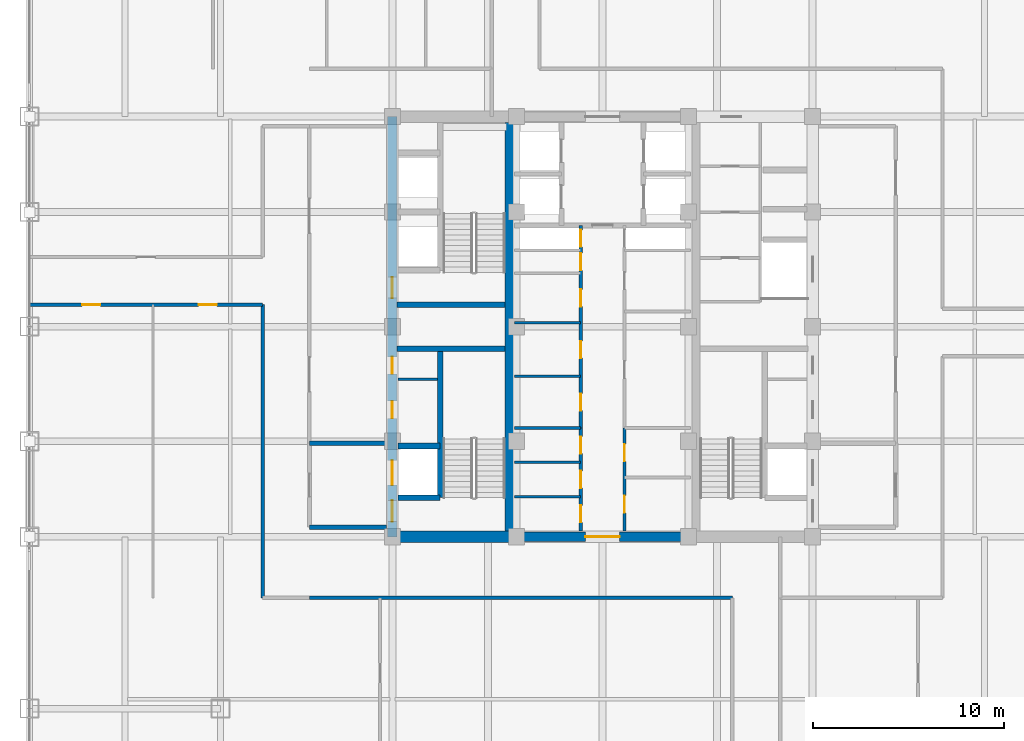
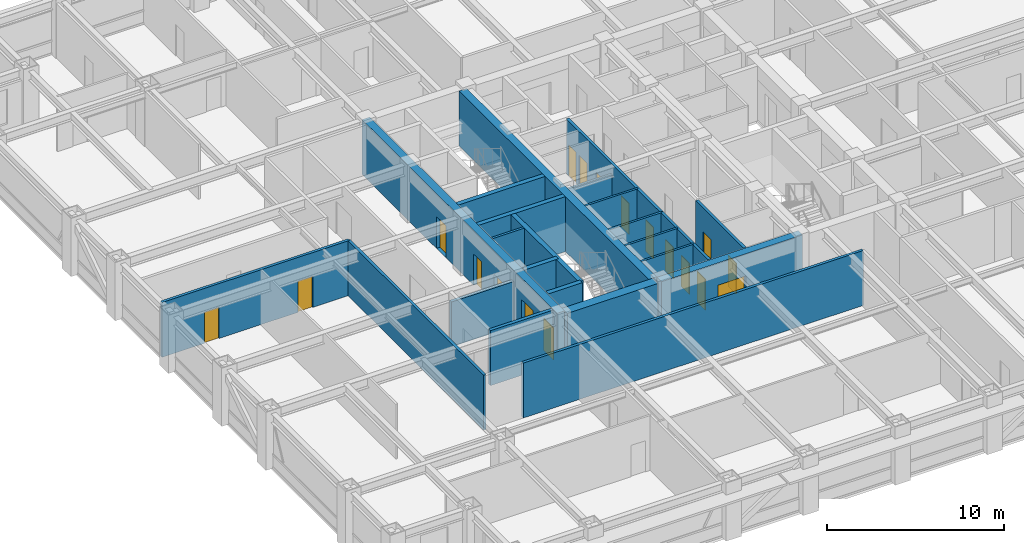
# One storey, part 20 of 29: 23 walls, 18 doors, 18 openings.
"""IFC4 building model written with IfcOpenShell, lengths in metres."""

from ifc_helpers import new_model, si_unit, direction, frame, frame_2d, origin, place, context, subcontext, project, spatial, rectangle, extrude, source, transform, mapped, material, layer, layer_set, type_object, element, fill, save


model = new_model("IFC4")

# Units and contexts
model_context = context("Model", 3, precision=1e-05, world=origin(), true_north=direction((0.0, 1.0)))
body_context = subcontext(model_context, "Body", "Model", "MODEL_VIEW")
ifc_project = project(units=[si_unit("LENGTHUNIT", "METRE"), si_unit("AREAUNIT", "SQUARE_METRE"), si_unit("VOLUMEUNIT", "CUBIC_METRE"), si_unit("PLANEANGLEUNIT", "RADIAN"), si_unit("MASSUNIT", "GRAM", prefix="KILO")], contexts=[model_context])

# Site, building, storey
site_placement = place(None, origin())
site = spatial("IfcSite", under=ifc_project, at=site_placement, CompositionType="ELEMENT")
building_placement = place(site_placement, origin())
building = spatial("IfcBuilding", under=site, at=building_placement, Name="Khorayat Bourse Tower", CompositionType="ELEMENT")
storey_placement = place(building_placement, frame((0.0, 0.0, 235.10009765625)))
storey = spatial("IfcBuildingStorey", under=building, at=storey_placement, Name="L55", CompositionType="ELEMENT", Elevation=235.10009765625)

# Wall
ifc_material_1 = material(Name="Concrete C52/65", Category="concrete")
ifc_layer_1 = layer(ifc_material_1, 0.5)
ifc_layer_set_1 = layer_set([ifc_layer_1], Name="Concrete C52/65")
wall_type_1 = type_object("IfcWallType", Name="WAL-CORE-500", PredefinedType="SHEAR", material=ifc_layer_set_1)
shared_shape_1 = source(origin(), body_context, "Body", "SweptSolid", [
    extrude(rectangle(XDim=21.39990234375, YDim=0.5, at=frame_2d((10.699951171875, 0.0))), origin(), (0.0, 0.0, 1.0), 3.77978515625),
])
wall_1_placement = place(storey_placement, frame((-4.85009765625, -10.699951171875, 0.0), z_axis=(0.0, 0.0, 1.0), x_axis=(0.0, 1.0, 0.0)))
element("IfcWall", 1, at=wall_1_placement, inside=storey, type_object=wall_type_1, Name="L55 Core Shear Wall PIER-W", PredefinedType="SHEAR", context=body_context, shape_type="MappedRepresentation", body=[
    mapped(shared_shape_1, transform((0.0, 0.0, 0.0), scale=1.0)),
])

# Wall, opening, door
shared_shape_2 = source(origin(), body_context, "Body", "SweptSolid", [
    extrude(rectangle(XDim=9.2001953125, YDim=0.5, at=frame_2d((4.60009765625, 0.0))), origin(), (0.0, 0.0, 1.0), 3.77978515625),
])
wall_2_placement = place(storey_placement, frame((-4.60009765625, -11.0, 0.0), z_axis=(0.0, 0.0, 1.0), x_axis=(1.0, 0.0, 0.0)))
wall_2 = element("IfcWall", 2, at=wall_2_placement, inside=storey, type_object=wall_type_1, Name="L55 Core Shear Wall CORE-S", PredefinedType="SHEAR", context=body_context, shape_type="MappedRepresentation", body=[
    mapped(shared_shape_2, transform((0.0, 0.0, 0.0), scale=1.0)),
])
shared_shape_3 = source(origin(), body_context, "Body", "SweptSolid", [
    extrude(rectangle(XDim=1.800048828125, YDim=2.25, at=frame_2d((0.89990234375, 1.125))), frame((0.0, 0.260009765625, 0.0), z_axis=(0.0, -1.0, 0.0), x_axis=(1.0, 0.0, 0.0)), (0.0, 0.0, 1.0), 0.52001953125),
])
opening_1_placement = place(wall_2_placement, frame((3.699951171875, 0.0, 0.0)))
opening_1 = element("IfcOpeningElement", 3, at=opening_1_placement, cuts=wall_2, Name="Opening DI-03", PredefinedType="OPENING", context=body_context, shape_type="MappedRepresentation", body=[
    mapped(shared_shape_3, transform((0.0, 0.0, 0.0), scale=1.0)),
])
ifc_material_2 = material(Name="Fire-rated hardwood vision-panel double leaf", Category="wood")
door_type_1 = type_object("IfcDoorType", Name="DR-INT-CORR-1800", OperationType="NOTDEFINED", PredefinedType="DOOR", material=ifc_material_2)
shared_shape_4 = source(origin(), body_context, "Body", "SweptSolid", [
    extrude(rectangle(XDim=1.800048828125, YDim=2.25, at=frame_2d((0.89990234375, 1.125))), frame((0.0, 0.02490234375, 0.0), z_axis=(0.0, -1.0, 0.0), x_axis=(1.0, 0.0, 0.0)), (0.0, 0.0, 1.0), 0.050048828125),
])
door_1_placement = place(opening_1_placement, origin())
door_1 = element("IfcDoor", 4, at=door_1_placement, inside=storey, type_object=door_type_1, Name="L55 Central Core South Passage Door", OperationType="SINGLE_SWING_LEFT", OverallHeight=2.25, OverallWidth=1.800048828125, PredefinedType="DOOR", context=body_context, shape_type="MappedRepresentation", body=[
    mapped(shared_shape_4, transform((0.0, 0.0, 0.0), scale=1.0)),
])
fill(opening_1, door_1)

# Wall, openings, doors
shared_shape_5 = source(origin(), body_context, "Body", "SweptSolid", [
    extrude(rectangle(XDim=22.0, YDim=0.5, at=frame_2d((11.0, 0.0))), origin(), (0.0, 0.0, 1.0), 3.77978515625),
])
wall_3_placement = place(storey_placement, frame((-11.0, -11.0, 0.0), z_axis=(0.0, 0.0, 1.0), x_axis=(0.0, 1.0, 0.0)))
wall_3 = element("IfcWall", 5, at=wall_3_placement, inside=storey, type_object=wall_type_1, Name="L55 Core Shear Wall CORE-W", PredefinedType="SHEAR", context=body_context, shape_type="MappedRepresentation", body=[
    mapped(shared_shape_5, transform((0.0, 0.0, 0.0), scale=1.0)),
])
shared_shape_6 = source(origin(), body_context, "Body", "SweptSolid", [
    extrude(rectangle(XDim=1.10009765625, YDim=2.199951171875, at=frame_2d((0.550048828125, 1.10009765625))), frame((0.0, 0.260009765625, 0.0), z_axis=(0.0, -1.0, 0.0), x_axis=(1.0, 0.0, 0.0)), (0.0, 0.0, 1.0), 0.52001953125),
])
opening_2_placement = place(wall_3_placement, frame((0.800048828125, 0.0, 0.0)))
opening_2 = element("IfcOpeningElement", 6, at=opening_2_placement, cuts=wall_3, Name="Opening DI-01", PredefinedType="OPENING", context=body_context, shape_type="MappedRepresentation", body=[
    mapped(shared_shape_6, transform((0.0, 0.0, 0.0), scale=1.0)),
])
opening_3_placement = place(wall_3_placement, frame((12.5, 0.0, 0.0)))
opening_3 = element("IfcOpeningElement", 7, at=opening_3_placement, cuts=wall_3, Name="Opening DI-01", PredefinedType="OPENING", context=body_context, shape_type="MappedRepresentation", body=[
    mapped(shared_shape_6, transform((0.0, 0.0, 0.0), scale=1.0)),
])
shared_shape_7 = source(origin(), body_context, "Body", "SweptSolid", [
    extrude(rectangle(XDim=0.89990234375, YDim=2.14990234375, at=frame_2d((0.449951171875, 1.074951171875))), frame((0.0, 0.260009765625, 0.0), z_axis=(0.0, -1.0, 0.0), x_axis=(1.0, 0.0, 0.0)), (0.0, 0.0, 1.0), 0.52001953125),
])
opening_4_placement = place(wall_3_placement, frame((6.199951171875, 0.0, 0.0)))
opening_4 = element("IfcOpeningElement", 8, at=opening_4_placement, cuts=wall_3, Name="Opening DI-06", PredefinedType="OPENING", context=body_context, shape_type="MappedRepresentation", body=[
    mapped(shared_shape_7, transform((0.0, 0.0, 0.0), scale=1.0)),
])
opening_5_placement = place(wall_3_placement, frame((8.52490234375, 0.0, 0.0)))
opening_5 = element("IfcOpeningElement", 9, at=opening_5_placement, cuts=wall_3, Name="Opening DI-06", PredefinedType="OPENING", context=body_context, shape_type="MappedRepresentation", body=[
    mapped(shared_shape_7, transform((0.0, 0.0, 0.0), scale=1.0)),
])
shared_shape_8 = source(origin(), body_context, "Body", "SweptSolid", [
    extrude(rectangle(XDim=1.300048828125, YDim=2.300048828125, at=frame_2d((0.64990234375, 1.14990234375))), frame((0.0, 0.260009765625, 0.0), z_axis=(0.0, -1.0, 0.0), x_axis=(1.0, 0.0, 0.0)), (0.0, 0.0, 1.0), 0.52001953125),
])
opening_6_placement = place(wall_3_placement, frame((2.699951171875, 0.0, 0.0)))
opening_6 = element("IfcOpeningElement", 10, at=opening_6_placement, cuts=wall_3, Name="Opening LD-02", PredefinedType="OPENING", context=body_context, shape_type="MappedRepresentation", body=[
    mapped(shared_shape_8, transform((0.0, 0.0, 0.0), scale=1.0)),
])
ifc_material_3 = material(Name="Fire-rated steel acoustic leaf", Category="steel")
door_type_2 = type_object("IfcDoorType", Name="DR-INT-STAIR-1100", OperationType="NOTDEFINED", PredefinedType="DOOR", material=ifc_material_3)
shared_shape_9 = source(origin(), body_context, "Body", "SweptSolid", [
    extrude(rectangle(XDim=1.10009765625, YDim=2.199951171875, at=frame_2d((0.550048828125, 1.10009765625))), frame((0.0, 0.02490234375, 0.0), z_axis=(0.0, -1.0, 0.0), x_axis=(1.0, 0.0, 0.0)), (0.0, 0.0, 1.0), 0.050048828125),
])
door_2_placement = place(opening_2_placement, origin())
door_2 = element("IfcDoor", 11, at=door_2_placement, inside=storey, type_object=door_type_2, Name="L55 Exit Stair 1 Door", OperationType="SINGLE_SWING_RIGHT", OverallHeight=2.199951171875, OverallWidth=1.10009765625, PredefinedType="DOOR", context=body_context, shape_type="MappedRepresentation", body=[
    mapped(shared_shape_9, transform((0.0, 0.0, 0.0), scale=1.0)),
])
fill(opening_2, door_2)
door_3_placement = place(opening_3_placement, origin())
door_3 = element("IfcDoor", 12, at=door_3_placement, inside=storey, type_object=door_type_2, Name="L55 Exit Stair 2 Door", OperationType="SINGLE_SWING_RIGHT", OverallHeight=2.199951171875, OverallWidth=1.10009765625, PredefinedType="DOOR", context=body_context, shape_type="MappedRepresentation", body=[
    mapped(shared_shape_9, transform((0.0, 0.0, 0.0), scale=1.0)),
])
fill(opening_3, door_3)
ifc_material_4 = material(Name="Moisture-resistant laminate washroom door")
door_type_3 = type_object("IfcDoorType", Name="DR-INT-WC-900", OperationType="NOTDEFINED", PredefinedType="DOOR", material=ifc_material_4)
shared_shape_10 = source(origin(), body_context, "Body", "SweptSolid", [
    extrude(rectangle(XDim=0.89990234375, YDim=2.14990234375, at=frame_2d((0.449951171875, 1.074951171875))), frame((0.0, 0.02490234375, 0.0), z_axis=(0.0, -1.0, 0.0), x_axis=(1.0, 0.0, 0.0)), (0.0, 0.0, 1.0), 0.050048828125),
])
door_4_placement = place(opening_4_placement, origin())
door_4 = element("IfcDoor", 13, at=door_4_placement, inside=storey, type_object=door_type_3, Name="L55 Switch Closet Door", OperationType="SINGLE_SWING_RIGHT", OverallHeight=2.14990234375, OverallWidth=0.89990234375, PredefinedType="DOOR", context=body_context, shape_type="MappedRepresentation", body=[
    mapped(shared_shape_10, transform((0.0, 0.0, 0.0), scale=1.0)),
])
fill(opening_4, door_4)
door_5_placement = place(opening_5_placement, origin())
door_5 = element("IfcDoor", 14, at=door_5_placement, inside=storey, type_object=door_type_3, Name="L55 Janitor Store Door", OperationType="SINGLE_SWING_LEFT", OverallHeight=2.14990234375, OverallWidth=0.89990234375, PredefinedType="DOOR", context=body_context, shape_type="MappedRepresentation", body=[
    mapped(shared_shape_10, transform((0.0, 0.0, 0.0), scale=1.0)),
])
fill(opening_5, door_5)
ifc_material_5 = material(Name="Fire-rated stainless-steel sliding landing door", Category="steel")
door_type_4 = type_object("IfcDoorType", Name="DR-LIFT-FF-1300", OperationType="NOTDEFINED", PredefinedType="DOOR", material=ifc_material_5)
shared_shape_11 = source(origin(), body_context, "Body", "SweptSolid", [
    extrude(rectangle(XDim=1.300048828125, YDim=2.300048828125, at=frame_2d((0.64990234375, 1.14990234375))), frame((0.0, 0.02490234375, 0.0), z_axis=(0.0, -1.0, 0.0), x_axis=(1.0, 0.0, 0.0)), (0.0, 0.0, 1.0), 0.050048828125),
])
door_6_placement = place(opening_6_placement, origin())
door_6 = element("IfcDoor", 15, at=door_6_placement, inside=storey, type_object=door_type_4, Name="L55 Lift FFL-01 Sliding Landing Door", OperationType="SLIDING_TO_LEFT", OverallHeight=2.300048828125, OverallWidth=1.300048828125, PredefinedType="DOOR", context=body_context, shape_type="MappedRepresentation", body=[
    mapped(shared_shape_11, transform((0.0, 0.0, 0.0), scale=1.0)),
])
fill(opening_6, door_6)

# Walls
ifc_material_6 = material(Name="Concrete C60/75", Category="concrete")
ifc_layer_2 = layer(ifc_material_6, 0.60009765625)
ifc_layer_set_2 = layer_set([ifc_layer_2], Name="Concrete C60/75")
wall_type_2 = type_object("IfcWallType", Name="WAL-CORE-600", PredefinedType="SHEAR", material=ifc_layer_set_2)
shared_shape_12 = source(origin(), body_context, "Body", "SweptSolid", [
    extrude(rectangle(XDim=5.89990234375, YDim=0.60009765625, at=frame_2d((2.949951171875, 0.0))), origin(), (0.0, 0.0, 1.0), 3.77978515625),
])
wall_4_placement = place(storey_placement, frame((-10.75, -11.0, 0.0), z_axis=(0.0, 0.0, 1.0), x_axis=(1.0, 0.0, 0.0)))
element("IfcWall", 16, at=wall_4_placement, inside=storey, type_object=wall_type_2, Name="L55 Core Shear Wall PIER-WS", PredefinedType="SHEAR", context=body_context, shape_type="MappedRepresentation", body=[
    mapped(shared_shape_12, transform((0.0, 0.0, 0.0), scale=1.0)),
])
ifc_material_7 = material(Name="Concrete C50/60", Category="concrete")
ifc_layer_3 = layer(ifc_material_7, 0.300048828125)
ifc_layer_set_3 = layer_set([ifc_layer_3], Name="Concrete C50/60")
wall_type_3 = type_object("IfcWallType", Name="WAL-SHAFT-300", PredefinedType="SHEAR", material=ifc_layer_set_3)
shared_shape_13 = source(origin(), body_context, "Body", "SweptSolid", [
    extrude(rectangle(XDim=5.64990234375, YDim=0.300048828125, at=frame_2d((2.824951171875, 0.0))), origin(), (0.0, 0.0, 1.0), 3.77978515625),
])
for number, where, z_axis, x_axis, name in (
    (17, (-10.75, -1.14990234375, 0.0), (0.0, 0.0, 1.0), (1.0, 0.0, 0.0), "L55 Core Shear Wall ST1-DIV"),
    (18, (-10.75, 1.14990234375, 0.0), (0.0, 0.0, 1.0), (1.0, 0.0, 0.0), "L55 Core Shear Wall ST2-DIV"),
):
    element("IfcWall", number, at=place(storey_placement, frame(where, z_axis=z_axis, x_axis=x_axis)), inside=storey, type_object=wall_type_3, Name=name, PredefinedType="SHEAR", context=body_context, shape_type="MappedRepresentation", body=[
        mapped(shared_shape_13, transform((0.0, 0.0, 0.0), scale=1.0)),
    ])
ifc_material_8 = material(Name="Aerated concrete blockwork", Category="masonry")
ifc_layer_4 = layer(ifc_material_8, 0.219970703125)
ifc_layer_set_4 = layer_set([ifc_layer_4], Name="Aerated concrete blockwork")
wall_type_4 = type_object("IfcWallType", Name="WAL-PART-FF-220", PredefinedType="PARTITIONING", material=ifc_layer_set_4)
shared_shape_14 = source(origin(), body_context, "Body", "SweptSolid", [
    extrude(rectangle(XDim=4.050048828125, YDim=0.219970703125, at=frame_2d((2.02490234375, 0.0))), origin(), (0.0, 0.0, 1.0), 3.0849609375),
])
wall_5_placement = place(storey_placement, frame((-15.35009765625, -6.10009765625, 0.0), z_axis=(0.0, 0.0, 1.0), x_axis=(1.0, 0.0, 0.0)))
element("IfcWall", 19, at=wall_5_placement, inside=storey, type_object=wall_type_4, Name="L55 Partition WAL-L55-FFLW-N", PredefinedType="PARTITIONING", context=body_context, shape_type="MappedRepresentation", body=[
    mapped(shared_shape_14, transform((0.0, 0.0, 0.0), scale=1.0)),
])
shared_shape_15 = source(origin(), body_context, "Body", "SweptSolid", [
    extrude(rectangle(XDim=7.800048828125, YDim=0.300048828125, at=frame_2d((3.89990234375, 0.0))), origin(), (0.0, 0.0, 1.0), 3.77978515625),
])
wall_6_placement = place(storey_placement, frame((-8.5, -8.949951171875, 0.0), z_axis=(0.0, 0.0, 1.0), x_axis=(0.0, 1.0, 0.0)))
element("IfcWall", 20, at=wall_6_placement, inside=storey, type_object=wall_type_3, Name="L55 Partition WAL-L55-WPIER-SP", PredefinedType="SHEAR", context=body_context, shape_type="MappedRepresentation", body=[
    mapped(shared_shape_15, transform((0.0, 0.0, 0.0), scale=1.0)),
])
shared_shape_16 = source(origin(), body_context, "Body", "SweptSolid", [
    extrude(rectangle(XDim=2.199951171875, YDim=0.300048828125, at=frame_2d((1.10009765625, 0.0))), origin(), (0.0, 0.0, 1.0), 3.77978515625),
])
for number, where, z_axis, x_axis, name in (
    (21, (-10.699951171875, -8.949951171875, 0.0), (0.0, 0.0, 1.0), (1.0, 0.0, 0.0), "L55 Partition WAL-L55-WPIER-FF1S"),
    (22, (-10.699951171875, -6.25, 0.0), (0.0, 0.0, 1.0), (1.0, 0.0, 0.0), "L55 Partition WAL-L55-WPIER-FF1N"),
):
    element("IfcWall", number, at=place(storey_placement, frame(where, z_axis=z_axis, x_axis=x_axis)), inside=storey, type_object=wall_type_3, Name=name, PredefinedType="SHEAR", context=body_context, shape_type="MappedRepresentation", body=[
        mapped(shared_shape_16, transform((0.0, 0.0, 0.0), scale=1.0)),
    ])
ifc_material_9 = material(Name="Gypsum plasterboard twin-frame partition")
ifc_layer_5 = layer(ifc_material_9, 0.14990234375)
ifc_layer_set_5 = layer_set([ifc_layer_5], Name="Gypsum plasterboard twin-frame partition")
wall_type_5 = type_object("IfcWallType", Name="WAL-PART-SUITE-150", PredefinedType="PARTITIONING", material=ifc_layer_set_5)
shared_shape_17 = source(origin(), body_context, "Body", "SweptSolid", [
    extrude(rectangle(XDim=2.050048828125, YDim=0.14990234375, at=frame_2d((1.02490234375, 0.0))), origin(), (0.0, 0.0, 1.0), 3.77978515625),
])
wall_7_placement = place(storey_placement, frame((-10.699951171875, -2.75, 0.0), z_axis=(0.0, 0.0, 1.0), x_axis=(1.0, 0.0, 0.0)))
element("IfcWall", 23, at=wall_7_placement, inside=storey, type_object=wall_type_5, Name="L55 Partition WAL-L55-WSRV-D1", PredefinedType="PARTITIONING", context=body_context, shape_type="MappedRepresentation", body=[
    mapped(shared_shape_17, transform((0.0, 0.0, 0.0), scale=1.0)),
])
shared_shape_18 = source(origin(), body_context, "Body", "SweptSolid", [
    extrude(rectangle(XDim=4.050048828125, YDim=0.219970703125, at=frame_2d((2.02490234375, 0.0))), origin(), (0.0, 0.0, 1.0), 3.77978515625),
])
wall_8_placement = place(storey_placement, frame((-15.35009765625, -10.5, 0.0), z_axis=(0.0, 0.0, 1.0), x_axis=(1.0, 0.0, 0.0)))
element("IfcWall", 24, at=wall_8_placement, inside=storey, type_object=wall_type_4, Name="L55 Partition WAL-L55-FFLW-S", PredefinedType="PARTITIONING", context=body_context, shape_type="MappedRepresentation", body=[
    mapped(shared_shape_18, transform((0.0, 0.0, 0.0), scale=1.0)),
])
shared_shape_19 = source(origin(), body_context, "Body", "SweptSolid", [
    extrude(rectangle(XDim=3.4501953125, YDim=0.14990234375, at=frame_2d((1.72509765625, 0.0))), origin(), (0.0, 0.0, 1.0), 3.77978515625),
])
wall_9_placement = place(storey_placement, frame((-4.60009765625, -5.300048828125, 0.0), z_axis=(0.0, 0.0, 1.0), x_axis=(1.0, 0.0, 0.0)))
element("IfcWall", 25, at=wall_9_placement, inside=storey, type_object=wall_type_5, Name="L55 Partition WAL-L55-FB1-NW", PredefinedType="PARTITIONING", context=body_context, shape_type="MappedRepresentation", body=[
    mapped(shared_shape_19, transform((0.0, 0.0, 0.0), scale=1.0)),
])
ifc_material_10 = material(Name="Moisture-resistant masonry partition", Category="masonry")
ifc_layer_6 = layer(ifc_material_10, 0.139892578125)
ifc_layer_set_6 = layer_set([ifc_layer_6], Name="Moisture-resistant masonry partition")
wall_type_6 = type_object("IfcWallType", Name="WAL-PART-WET-140", PredefinedType="PARTITIONING", material=ifc_layer_set_6)
shared_shape_20 = source(origin(), body_context, "Body", "SweptSolid", [
    extrude(rectangle(XDim=3.4501953125, YDim=0.139892578125, at=frame_2d((1.72509765625, 0.0))), origin(), (0.0, 0.0, 1.0), 3.77978515625),
])
for number, where, z_axis, x_axis, name in (
    (26, (-4.60009765625, -8.89990234375, 0.0), (0.0, 0.0, 1.0), (1.0, 0.0, 0.0), "L55 Partition WAL-L55-FB1W-D1"),
    (27, (-4.60009765625, -7.10009765625, 0.0), (0.0, 0.0, 1.0), (1.0, 0.0, 0.0), "L55 Partition WAL-L55-FB1W-D2"),
    (28, (-4.60009765625, -2.60009765625, 0.0), (0.0, 0.0, 1.0), (1.0, 0.0, 0.0), "L55 Partition WAL-L55-CMW-D1"),
):
    element("IfcWall", number, at=place(storey_placement, frame(where, z_axis=z_axis, x_axis=x_axis)), inside=storey, type_object=wall_type_6, Name=name, PredefinedType="PARTITIONING", context=body_context, shape_type="MappedRepresentation", body=[
        mapped(shared_shape_20, transform((0.0, 0.0, 0.0), scale=1.0)),
    ])

# Wall, openings, doors
ifc_material_11 = material(Name="Gypsum plasterboard acoustic stud wall")
ifc_layer_7 = layer(ifc_material_11, 0.179931640625)
ifc_layer_set_7 = layer_set([ifc_layer_7], Name="Gypsum plasterboard acoustic stud wall")
wall_type_7 = type_object("IfcWallType", Name="WAL-PART-CORR-180", PredefinedType="PARTITIONING", material=ifc_layer_set_7)
shared_shape_21 = source(origin(), body_context, "Body", "SweptSolid", [
    extrude(rectangle(XDim=5.39990234375, YDim=0.179931640625, at=frame_2d((2.699951171875, 0.0))), origin(), (0.0, 0.0, 1.0), 3.77978515625),
])
wall_10_placement = place(storey_placement, frame((-1.14990234375, -10.699951171875, 0.0), z_axis=(0.0, 0.0, 1.0), x_axis=(0.0, 1.0, 0.0)))
wall_10 = element("IfcWall", 29, at=wall_10_placement, inside=storey, type_object=wall_type_7, Name="L55 Partition WAL-L55-FB1W-L", PredefinedType="PARTITIONING", context=body_context, shape_type="MappedRepresentation", body=[
    mapped(shared_shape_21, transform((0.0, 0.0, 0.0), scale=1.0)),
])
shared_shape_22 = source(origin(), body_context, "Body", "SweptSolid", [
    extrude(rectangle(XDim=0.89990234375, YDim=2.14990234375, at=frame_2d((0.449951171875, 1.074951171875))), frame((0.0, 0.099853515625, 0.0), z_axis=(0.0, -1.0, 0.0), x_axis=(1.0, 0.0, 0.0)), (0.0, 0.0, 1.0), 0.199951171875),
])
opening_7_placement = place(wall_10_placement, frame((0.449951171875, 0.0, 0.0)))
opening_7 = element("IfcOpeningElement", 30, at=opening_7_placement, cuts=wall_10, Name="Opening DI-06", PredefinedType="OPENING", context=body_context, shape_type="MappedRepresentation", body=[
    mapped(shared_shape_22, transform((0.0, 0.0, 0.0), scale=1.0)),
])
opening_8_placement = place(wall_10_placement, frame((2.25, 0.0, 0.0)))
opening_8 = element("IfcOpeningElement", 31, at=opening_8_placement, cuts=wall_10, Name="Opening DI-06", PredefinedType="OPENING", context=body_context, shape_type="MappedRepresentation", body=[
    mapped(shared_shape_22, transform((0.0, 0.0, 0.0), scale=1.0)),
])
opening_9_placement = place(wall_10_placement, frame((4.050048828125, 0.0, 0.0)))
opening_9 = element("IfcOpeningElement", 32, at=opening_9_placement, cuts=wall_10, Name="Opening DI-06", PredefinedType="OPENING", context=body_context, shape_type="MappedRepresentation", body=[
    mapped(shared_shape_22, transform((0.0, 0.0, 0.0), scale=1.0)),
])
door_7_placement = place(opening_7_placement, origin())
door_7 = element("IfcDoor", 33, at=door_7_placement, inside=storey, type_object=door_type_3, Name="L55 Archive Store A Door", OperationType="SINGLE_SWING_RIGHT", OverallHeight=2.14990234375, OverallWidth=0.89990234375, PredefinedType="DOOR", context=body_context, shape_type="MappedRepresentation", body=[
    mapped(shared_shape_10, transform((0.0, 0.0, 0.0), scale=1.0)),
])
fill(opening_7, door_7)
door_8_placement = place(opening_8_placement, origin())
door_8 = element("IfcDoor", 34, at=door_8_placement, inside=storey, type_object=door_type_3, Name="L55 Patch Comms Room Door", OperationType="SINGLE_SWING_LEFT", OverallHeight=2.14990234375, OverallWidth=0.89990234375, PredefinedType="DOOR", context=body_context, shape_type="MappedRepresentation", body=[
    mapped(shared_shape_10, transform((0.0, 0.0, 0.0), scale=1.0)),
])
fill(opening_8, door_8)
door_9_placement = place(opening_9_placement, origin())
door_9 = element("IfcDoor", 35, at=door_9_placement, inside=storey, type_object=door_type_3, Name="L55 Archive Store B Door", OperationType="SINGLE_SWING_RIGHT", OverallHeight=2.14990234375, OverallWidth=0.89990234375, PredefinedType="DOOR", context=body_context, shape_type="MappedRepresentation", body=[
    mapped(shared_shape_10, transform((0.0, 0.0, 0.0), scale=1.0)),
])
fill(opening_9, door_9)

wall_11_placement = place(storey_placement, frame((1.14990234375, -10.699951171875, 0.0), z_axis=(0.0, 0.0, 1.0), x_axis=(0.0, 1.0, 0.0)))
wall_11 = element("IfcWall", 36, at=wall_11_placement, inside=storey, type_object=wall_type_7, Name="L55 Partition WAL-L55-FB1E-L", PredefinedType="PARTITIONING", context=body_context, shape_type="MappedRepresentation", body=[
    mapped(shared_shape_21, transform((0.0, 0.0, 0.0), scale=1.0)),
])
opening_10_placement = place(wall_11_placement, frame((0.949951171875, 0.0, 0.0)))
opening_10 = element("IfcOpeningElement", 37, at=opening_10_placement, cuts=wall_11, Name="Opening DI-06", PredefinedType="OPENING", context=body_context, shape_type="MappedRepresentation", body=[
    mapped(shared_shape_22, transform((0.0, 0.0, 0.0), scale=1.0)),
])
opening_11_placement = place(wall_11_placement, frame((3.64990234375, 0.0, 0.0)))
opening_11 = element("IfcOpeningElement", 38, at=opening_11_placement, cuts=wall_11, Name="Opening DI-06", PredefinedType="OPENING", context=body_context, shape_type="MappedRepresentation", body=[
    mapped(shared_shape_22, transform((0.0, 0.0, 0.0), scale=1.0)),
])
door_10_placement = place(opening_10_placement, origin())
door_10 = element("IfcDoor", 39, at=door_10_placement, inside=storey, type_object=door_type_3, Name="L55 UPS Switch Plant Room Door", OperationType="SINGLE_SWING_RIGHT", OverallHeight=2.14990234375, OverallWidth=0.89990234375, PredefinedType="DOOR", context=body_context, shape_type="MappedRepresentation", body=[
    mapped(shared_shape_10, transform((0.0, 0.0, 0.0), scale=1.0)),
])
fill(opening_10, door_10)
door_11_placement = place(opening_11_placement, origin())
door_11 = element("IfcDoor", 40, at=door_11_placement, inside=storey, type_object=door_type_3, Name="L55 Reprographics Store Door", OperationType="SINGLE_SWING_LEFT", OverallHeight=2.14990234375, OverallWidth=0.89990234375, PredefinedType="DOOR", context=body_context, shape_type="MappedRepresentation", body=[
    mapped(shared_shape_10, transform((0.0, 0.0, 0.0), scale=1.0)),
])
fill(opening_11, door_11)

# Wall
shared_shape_23 = source(origin(), body_context, "Body", "SweptSolid", [
    extrude(rectangle(XDim=3.4501953125, YDim=0.139892578125, at=frame_2d((1.72509765625, 0.0))), origin(), (0.0, 0.0, 1.0), 3.0849609375),
])
wall_12_placement = place(storey_placement, frame((-4.60009765625, 0.199951171875, 0.0), z_axis=(0.0, 0.0, 1.0), x_axis=(1.0, 0.0, 0.0)))
element("IfcWall", 41, at=wall_12_placement, inside=storey, type_object=wall_type_6, Name="L55 Partition WAL-L55-CMW-D2", PredefinedType="PARTITIONING", context=body_context, shape_type="MappedRepresentation", body=[
    mapped(shared_shape_23, transform((0.0, 0.0, 0.0), scale=1.0)),
])

# Wall, openings, doors
shared_shape_24 = source(origin(), body_context, "Body", "SweptSolid", [
    extrude(rectangle(XDim=10.60009765625, YDim=0.179931640625, at=frame_2d((5.300048828125, 0.0))), origin(), (0.0, 0.0, 1.0), 3.77978515625),
])
wall_13_placement = place(storey_placement, frame((-1.14990234375, -5.300048828125, 0.0), z_axis=(0.0, 0.0, 1.0), x_axis=(0.0, 1.0, 0.0)))
wall_13 = element("IfcWall", 42, at=wall_13_placement, inside=storey, type_object=wall_type_7, Name="L55 Partition WAL-L55-CMW-L", PredefinedType="PARTITIONING", context=body_context, shape_type="MappedRepresentation", body=[
    mapped(shared_shape_24, transform((0.0, 0.0, 0.0), scale=1.0)),
])
opening_12_placement = place(wall_13_placement, frame((0.89990234375, 0.0, 0.0)))
opening_12 = element("IfcOpeningElement", 43, at=opening_12_placement, cuts=wall_13, Name="Opening DI-06", PredefinedType="OPENING", context=body_context, shape_type="MappedRepresentation", body=[
    mapped(shared_shape_22, transform((0.0, 0.0, 0.0), scale=1.0)),
])
opening_13_placement = place(wall_13_placement, frame((3.64990234375, 0.0, 0.0)))
opening_13 = element("IfcOpeningElement", 44, at=opening_13_placement, cuts=wall_13, Name="Opening DI-06", PredefinedType="OPENING", context=body_context, shape_type="MappedRepresentation", body=[
    mapped(shared_shape_22, transform((0.0, 0.0, 0.0), scale=1.0)),
])
opening_14_placement = place(wall_13_placement, frame((6.35009765625, 0.0, 0.0)))
opening_14 = element("IfcOpeningElement", 45, at=opening_14_placement, cuts=wall_13, Name="Opening DI-06", PredefinedType="OPENING", context=body_context, shape_type="MappedRepresentation", body=[
    mapped(shared_shape_22, transform((0.0, 0.0, 0.0), scale=1.0)),
])
opening_15_placement = place(wall_13_placement, frame((8.25, 0.0, 0.0)))
opening_15 = element("IfcOpeningElement", 46, at=opening_15_placement, cuts=wall_13, Name="Opening DI-06", PredefinedType="OPENING", context=body_context, shape_type="MappedRepresentation", body=[
    mapped(shared_shape_22, transform((0.0, 0.0, 0.0), scale=1.0)),
])
opening_16_placement = place(wall_13_placement, frame((9.47509765625, 0.0, 0.0)))
opening_16 = element("IfcOpeningElement", 47, at=opening_16_placement, cuts=wall_13, Name="Opening DI-06", PredefinedType="OPENING", context=body_context, shape_type="MappedRepresentation", body=[
    mapped(shared_shape_22, transform((0.0, 0.0, 0.0), scale=1.0)),
])
door_12_placement = place(opening_12_placement, origin())
door_12 = element("IfcDoor", 48, at=door_12_placement, inside=storey, type_object=door_type_3, Name="L55 Cleaners Store Door", OperationType="SINGLE_SWING_RIGHT", OverallHeight=2.14990234375, OverallWidth=0.89990234375, PredefinedType="DOOR", context=body_context, shape_type="MappedRepresentation", body=[
    mapped(shared_shape_10, transform((0.0, 0.0, 0.0), scale=1.0)),
])
fill(opening_12, door_12)
door_13_placement = place(opening_13_placement, origin())
door_13 = element("IfcDoor", 49, at=door_13_placement, inside=storey, type_object=door_type_3, Name="L55 Male Core Washroom Door", OperationType="SINGLE_SWING_LEFT", OverallHeight=2.14990234375, OverallWidth=0.89990234375, PredefinedType="DOOR", context=body_context, shape_type="MappedRepresentation", body=[
    mapped(shared_shape_10, transform((0.0, 0.0, 0.0), scale=1.0)),
])
fill(opening_13, door_13)
door_14_placement = place(opening_14_placement, origin())
door_14 = element("IfcDoor", 50, at=door_14_placement, inside=storey, type_object=door_type_3, Name="L55 Electrical Closet Door", OperationType="SINGLE_SWING_RIGHT", OverallHeight=2.14990234375, OverallWidth=0.89990234375, PredefinedType="DOOR", context=body_context, shape_type="MappedRepresentation", body=[
    mapped(shared_shape_10, transform((0.0, 0.0, 0.0), scale=1.0)),
])
fill(opening_14, door_14)
door_15_placement = place(opening_15_placement, origin())
door_15 = element("IfcDoor", 51, at=door_15_placement, inside=storey, type_object=door_type_3, Name="L55 Archive Cupboard Door", OperationType="SINGLE_SWING_LEFT", OverallHeight=2.14990234375, OverallWidth=0.89990234375, PredefinedType="DOOR", context=body_context, shape_type="MappedRepresentation", body=[
    mapped(shared_shape_10, transform((0.0, 0.0, 0.0), scale=1.0)),
])
fill(opening_15, door_15)
door_16_placement = place(opening_16_placement, origin())
door_16 = element("IfcDoor", 52, at=door_16_placement, inside=storey, type_object=door_type_3, Name="L55 West Core Riser Door", OperationType="SINGLE_SWING_LEFT", OverallHeight=2.14990234375, OverallWidth=0.89990234375, PredefinedType="DOOR", context=body_context, shape_type="MappedRepresentation", body=[
    mapped(shared_shape_10, transform((0.0, 0.0, 0.0), scale=1.0)),
])
fill(opening_16, door_16)

shared_shape_25 = source(origin(), body_context, "Body", "SweptSolid", [
    extrude(rectangle(XDim=12.199951171875, YDim=0.179931640625, at=frame_2d((6.10009765625, 0.0))), origin(), (0.0, 0.0, 1.0), 3.77978515625),
])
wall_14_placement = place(storey_placement, frame((-30.0, 1.14990234375, 0.0), z_axis=(0.0, 0.0, 1.0), x_axis=(1.0, 0.0, 0.0)))
wall_14 = element("IfcWall", 53, at=wall_14_placement, inside=storey, type_object=wall_type_7, Name="L55 Partition WAL-L55-WS-SPK", PredefinedType="PARTITIONING", context=body_context, shape_type="MappedRepresentation", body=[
    mapped(shared_shape_25, transform((0.0, 0.0, 0.0), scale=1.0)),
])
shared_shape_26 = source(origin(), body_context, "Body", "SweptSolid", [
    extrude(rectangle(XDim=0.949951171875, YDim=2.14990234375, at=frame_2d((0.47509765625, 1.074951171875))), frame((0.0, 0.099853515625, 0.0), z_axis=(0.0, -1.0, 0.0), x_axis=(1.0, 0.0, 0.0)), (0.0, 0.0, 1.0), 0.199951171875),
])
opening_17_placement = place(wall_14_placement, frame((2.758056640625, 0.0, 0.0)))
opening_17 = element("IfcOpeningElement", 54, at=opening_17_placement, cuts=wall_14, Name="Opening DI-05", PredefinedType="OPENING", context=body_context, shape_type="MappedRepresentation", body=[
    mapped(shared_shape_26, transform((0.0, 0.0, 0.0), scale=1.0)),
])
opening_18_placement = place(wall_14_placement, frame((8.85791015625, 0.0, 0.0)))
opening_18 = element("IfcOpeningElement", 55, at=opening_18_placement, cuts=wall_14, Name="Opening DI-05", PredefinedType="OPENING", context=body_context, shape_type="MappedRepresentation", body=[
    mapped(shared_shape_26, transform((0.0, 0.0, 0.0), scale=1.0)),
])
ifc_material_12 = material(Name="Acoustic oak veneer office door")
door_type_5 = type_object("IfcDoorType", Name="DR-INT-OFFICE-950", OperationType="NOTDEFINED", PredefinedType="DOOR", material=ifc_material_12)
shared_shape_27 = source(origin(), body_context, "Body", "SweptSolid", [
    extrude(rectangle(XDim=0.949951171875, YDim=2.14990234375, at=frame_2d((0.47509765625, 1.074951171875))), frame((0.0, 0.02490234375, 0.0), z_axis=(0.0, -1.0, 0.0), x_axis=(1.0, 0.0, 0.0)), (0.0, 0.0, 1.0), 0.050048828125),
])
door_17_placement = place(opening_17_placement, origin())
door_17 = element("IfcDoor", 56, at=door_17_placement, inside=storey, type_object=door_type_5, Name="L55 Members Dining Room WSA Door", OperationType="SINGLE_SWING_LEFT", OverallHeight=2.14990234375, OverallWidth=0.949951171875, PredefinedType="DOOR", context=body_context, shape_type="MappedRepresentation", body=[
    mapped(shared_shape_27, transform((0.0, 0.0, 0.0), scale=1.0)),
])
fill(opening_17, door_17)
door_18_placement = place(opening_18_placement, origin())
door_18 = element("IfcDoor", 57, at=door_18_placement, inside=storey, type_object=door_type_5, Name="L55 Quantitative Research Study WSB Door", OperationType="SINGLE_SWING_RIGHT", OverallHeight=2.14990234375, OverallWidth=0.949951171875, PredefinedType="DOOR", context=body_context, shape_type="MappedRepresentation", body=[
    mapped(shared_shape_27, transform((0.0, 0.0, 0.0), scale=1.0)),
])
fill(opening_18, door_18)

# Walls
shared_shape_28 = source(origin(), body_context, "Body", "SweptSolid", [
    extrude(rectangle(XDim=22.150146484375, YDim=0.179931640625, at=frame_2d((11.0751953125, 0.0))), origin(), (0.0, 0.0, 1.0), 3.77978515625),
])
wall_15_placement = place(storey_placement, frame((-15.35009765625, -14.199951171875, 0.0), z_axis=(0.0, 0.0, 1.0), x_axis=(1.0, 0.0, 0.0)))
element("IfcWall", 58, at=wall_15_placement, inside=storey, type_object=wall_type_7, Name="L55 Partition WAL-L55-QSW-HC", PredefinedType="PARTITIONING", context=body_context, shape_type="MappedRepresentation", body=[
    mapped(shared_shape_28, transform((0.0, 0.0, 0.0), scale=1.0)),
])
shared_shape_29 = source(origin(), body_context, "Body", "SweptSolid", [
    extrude(rectangle(XDim=15.349853515625, YDim=0.179931640625, at=frame_2d((7.6748046875, 0.0))), origin(), (0.0, 0.0, 1.0), 3.77978515625),
])
wall_16_placement = place(storey_placement, frame((-17.800048828125, -14.199951171875, 0.0), z_axis=(0.0, 0.0, 1.0), x_axis=(0.0, 1.0, 0.0)))
element("IfcWall", 59, at=wall_16_placement, inside=storey, type_object=wall_type_7, Name="L55 Partition WAL-L55-WS-IN", PredefinedType="PARTITIONING", context=body_context, shape_type="MappedRepresentation", body=[
    mapped(shared_shape_29, transform((0.0, 0.0, 0.0), scale=1.0)),
])

save(model, "model.ifc")
